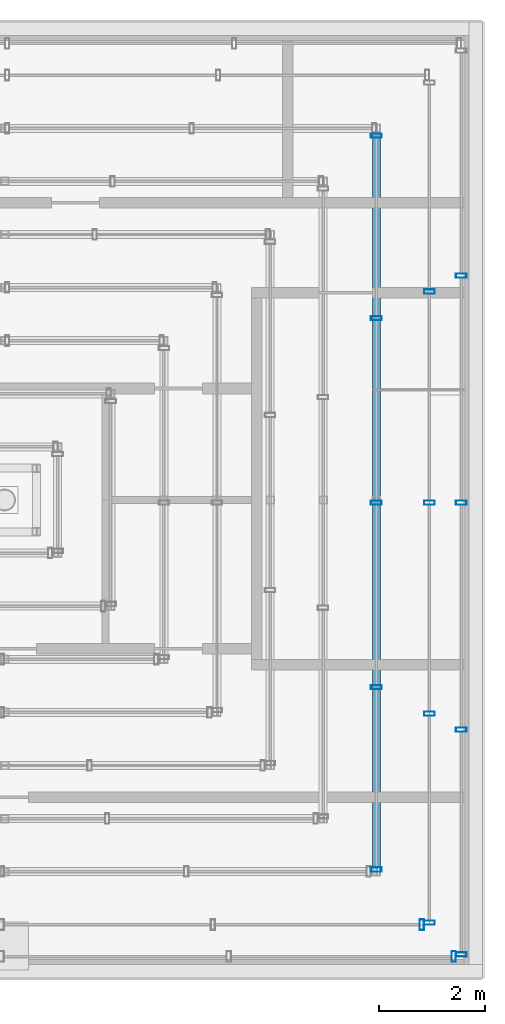
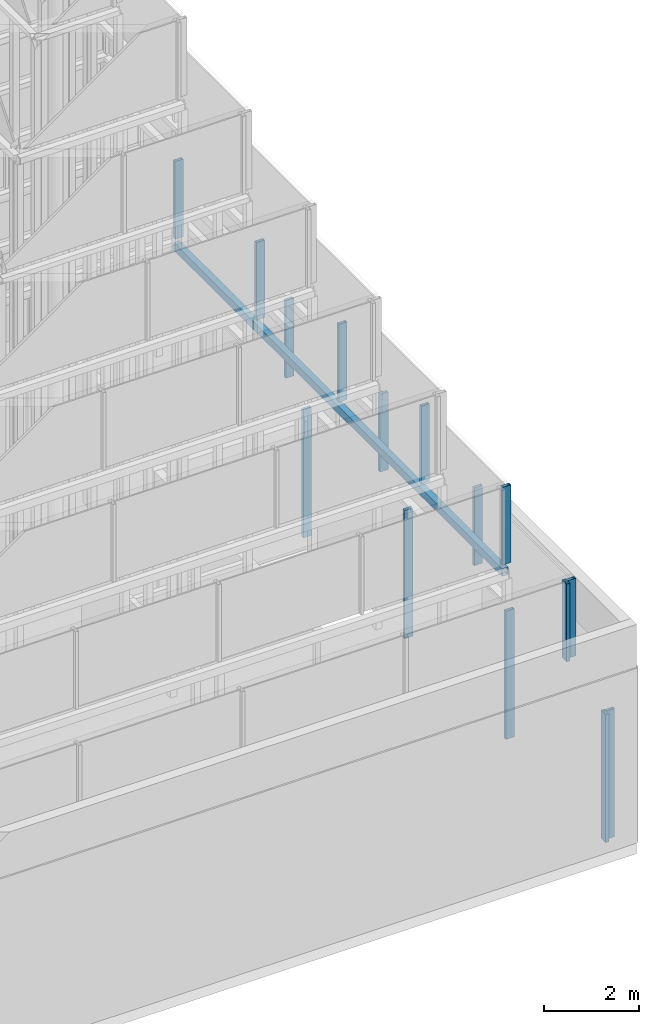
# One storey, part 15 of 24: 15 members, 1 beam, 5 elements without a shape of their own.
"""IFC4 building model written with IfcOpenShell, lengths in metres."""

from ifc_helpers import new_model, si_unit, direction, frame, origin, origin_2d, place, context, subcontext, project, spatial, hollow_rectangle, extrude, material, material_profile, profile_set, type_object, element, aggregate, save


model = new_model("IFC4")

# Units and contexts
model_context = context("Model", 3, precision=1e-05, world=origin(), true_north=direction((0.0, 1.0)))
body_context = subcontext(model_context, "Body", "Model", "MODEL_VIEW")
ifc_project = project(units=[si_unit("LENGTHUNIT", "METRE"), si_unit("AREAUNIT", "SQUARE_METRE"), si_unit("VOLUMEUNIT", "CUBIC_METRE"), si_unit("PLANEANGLEUNIT", "RADIAN"), si_unit("MASSUNIT", "GRAM", prefix="KILO")], contexts=[model_context])

# Site, building, storey
site_placement = place(None, origin())
site = spatial("IfcSite", under=ifc_project, at=site_placement, CompositionType="ELEMENT")
building_placement = place(site_placement, origin())
building = spatial("IfcBuilding", under=site, at=building_placement, Name="Altepetl Exchange Towers", CompositionType="ELEMENT")
storey_placement = place(building_placement, frame((0.0, 0.0, 279.10009765625)))
storey = spatial("IfcBuildingStorey", under=building, at=storey_placement, Name="L70 Crown plant", CompositionType="ELEMENT", Elevation=279.10009765625)

# Beam
ifc_material_1 = material(Name="Steel S355", Category="steel")
ifc_material_profile_1 = material_profile(ifc_material_1, hollow_rectangle(XDim=0.14990234375, YDim=0.199951171875, WallThickness=0.010009765625, at=origin_2d()), Name="RHS 200x150x10")
ifc_profile_set_1 = profile_set([ifc_material_profile_1], Name="Steel S355")
beam_type = type_object("IfcBeamType", Name="Crown ring beam hollow section 150x200x10", PredefinedType="BEAM", material=ifc_profile_set_1)
beam_placement = place(storey_placement, frame((56.5, 42.574951171875, 6.39990234375), z_axis=(0.0, 1.0, 0.0), x_axis=(-1.0, 0.0, 0.0)))
element("IfcBeam", 1, at=beam_placement, inside=storey, type_object=beam_type, Name="Crown ring beam", PredefinedType="BEAM", context=body_context, shape_type="SweptSolid", body=[
    extrude(hollow_rectangle(XDim=0.14990234375, YDim=0.199951171875, WallThickness=0.010009765625, at=origin_2d()), origin(), (0.0, 0.0, 1.0), 13.85009765625),
])

# Curtain wall, members
ifc_material_2 = material(Name="Aluminium 6063-T6 glazing", Category="aluminium")
curtain_wall_type = type_object("IfcCurtainWallType", Name="Crown glazing system", PredefinedType="NOTDEFINED", material=ifc_material_2)
curtain_wall_1_placement = place(storey_placement, origin())
curtain_wall_1 = element("IfcCurtainWall", 2, at=curtain_wall_1_placement, inside=storey, type_object=curtain_wall_type, Name="CW7 run", PredefinedType="NOTDEFINED")
ifc_material_3 = material(Name="Aluminium 6063-T6", Category="aluminium")
ifc_material_profile_2 = material_profile(ifc_material_3, hollow_rectangle(XDim=0.080078125, YDim=0.199951171875, WallThickness=0.0029296875, at=origin_2d()), Name="Mullion 80x200 hollow aluminium")
ifc_profile_set_2 = profile_set([ifc_material_profile_2], Name="Aluminium 6063-T6")
member_type = type_object("IfcMemberType", Name="Mullion 80x200 hollow aluminium", PredefinedType="MULLION", material=ifc_profile_set_2)
member_1_placement = place(storey_placement, frame((58.10009765625, 40.93994140625, 0.0), z_axis=(0.0, 0.0, 1.0), x_axis=(0.0, 1.0, 0.0)))
member_1 = element("IfcMember", 3, at=member_1_placement, type_object=member_type, Name="MU5 mullion", PredefinedType="MULLION", context=body_context, shape_type="SweptSolid", body=[
    extrude(hollow_rectangle(XDim=0.080078125, YDim=0.199951171875, WallThickness=0.0029296875, at=origin_2d()), origin(), (0.0, 0.0, 1.0), 3.2998046875),
])
member_2_placement = place(storey_placement, frame((58.10009765625, 45.175048828125, 0.0), z_axis=(0.0, 0.0, 1.0), x_axis=(0.0, 1.0, 0.0)))
member_2 = element("IfcMember", 4, at=member_2_placement, type_object=member_type, Name="MU5 mullion", PredefinedType="MULLION", context=body_context, shape_type="SweptSolid", body=[
    extrude(hollow_rectangle(XDim=0.080078125, YDim=0.199951171875, WallThickness=0.0029296875, at=origin_2d()), origin(), (0.0, 0.0, 1.0), 3.2998046875),
])
member_3_placement = place(storey_placement, frame((58.10009765625, 49.449951171875, 0.0), z_axis=(0.0, 0.0, 1.0), x_axis=(0.0, 1.0, 0.0)))
member_3 = element("IfcMember", 5, at=member_3_placement, type_object=member_type, Name="MU5 mullion", PredefinedType="MULLION", context=body_context, shape_type="SweptSolid", body=[
    extrude(hollow_rectangle(XDim=0.080078125, YDim=0.199951171875, WallThickness=0.0029296875, at=origin_2d()), origin(), (0.0, 0.0, 1.0), 3.2998046875),
])
member_4_placement = place(storey_placement, frame((58.10009765625, 53.72509765625, 0.0), z_axis=(0.0, 0.0, 1.0), x_axis=(0.0, 1.0, 0.0)))
member_4 = element("IfcMember", 6, at=member_4_placement, type_object=member_type, Name="MU5 mullion", PredefinedType="MULLION", context=body_context, shape_type="SweptSolid", body=[
    extrude(hollow_rectangle(XDim=0.080078125, YDim=0.199951171875, WallThickness=0.0029296875, at=origin_2d()), origin(), (0.0, 0.0, 1.0), 3.2998046875),
])
aggregate(curtain_wall_1, [member_1, member_2, member_3, member_4])

# Curtain wall, member
curtain_wall_2_placement = place(storey_placement, origin())
curtain_wall_2 = element("IfcCurtainWall", 7, at=curtain_wall_2_placement, inside=storey, type_object=curtain_wall_type, Name="CW7 run", PredefinedType="NOTDEFINED")
member_5_placement = place(storey_placement, frame((57.9599609375, 40.89990234375, 0.0)))
member_5 = element("IfcMember", 8, at=member_5_placement, type_object=member_type, Name="MU5 mullion", PredefinedType="MULLION", context=body_context, shape_type="SweptSolid", body=[
    extrude(hollow_rectangle(XDim=0.080078125, YDim=0.199951171875, WallThickness=0.0029296875, at=origin_2d()), origin(), (0.0, 0.0, 1.0), 3.2998046875),
])
aggregate(curtain_wall_2, [member_5])

curtain_wall_3_placement = place(storey_placement, origin())
curtain_wall_3 = element("IfcCurtainWall", 9, at=curtain_wall_3_placement, inside=storey, type_object=curtain_wall_type, Name="CW7 run", PredefinedType="NOTDEFINED")
member_6_placement = place(storey_placement, frame((57.360107421875, 41.5, 4.5)))
member_6 = element("IfcMember", 10, at=member_6_placement, type_object=member_type, Name="MU5 mullion", PredefinedType="MULLION", context=body_context, shape_type="SweptSolid", body=[
    extrude(hollow_rectangle(XDim=0.080078125, YDim=0.199951171875, WallThickness=0.0029296875, at=origin_2d()), origin(), (0.0, 0.0, 1.0), 2.0),
])
aggregate(curtain_wall_3, [member_6])

# Curtain wall, members
curtain_wall_4_placement = place(storey_placement, origin())
curtain_wall_4 = element("IfcCurtainWall", 11, at=curtain_wall_4_placement, inside=storey, type_object=curtain_wall_type, Name="CW7 run", PredefinedType="NOTDEFINED")
member_7_placement = place(storey_placement, frame((57.5, 41.5400390625, 4.5), z_axis=(0.0, 0.0, 1.0), x_axis=(0.0, 1.0, 0.0)))
member_7 = element("IfcMember", 12, at=member_7_placement, type_object=member_type, Name="MU5 mullion", PredefinedType="MULLION", context=body_context, shape_type="SweptSolid", body=[
    extrude(hollow_rectangle(XDim=0.080078125, YDim=0.199951171875, WallThickness=0.0029296875, at=origin_2d()), origin(), (0.0, 0.0, 1.0), 2.0),
])
member_8_placement = place(storey_placement, frame((57.5, 45.47509765625, 4.5), z_axis=(0.0, 0.0, 1.0), x_axis=(0.0, 1.0, 0.0)))
member_8 = element("IfcMember", 13, at=member_8_placement, type_object=member_type, Name="MU5 mullion", PredefinedType="MULLION", context=body_context, shape_type="SweptSolid", body=[
    extrude(hollow_rectangle(XDim=0.080078125, YDim=0.199951171875, WallThickness=0.0029296875, at=origin_2d()), origin(), (0.0, 0.0, 1.0), 2.0),
])
member_9_placement = place(storey_placement, frame((57.5, 49.449951171875, 4.5), z_axis=(0.0, 0.0, 1.0), x_axis=(0.0, 1.0, 0.0)))
member_9 = element("IfcMember", 14, at=member_9_placement, type_object=member_type, Name="MU5 mullion", PredefinedType="MULLION", context=body_context, shape_type="SweptSolid", body=[
    extrude(hollow_rectangle(XDim=0.080078125, YDim=0.199951171875, WallThickness=0.0029296875, at=origin_2d()), origin(), (0.0, 0.0, 1.0), 2.0),
])
member_10_placement = place(storey_placement, frame((57.5, 53.425048828125, 4.5), z_axis=(0.0, 0.0, 1.0), x_axis=(0.0, 1.0, 0.0)))
member_10 = element("IfcMember", 15, at=member_10_placement, type_object=member_type, Name="MU5 mullion", PredefinedType="MULLION", context=body_context, shape_type="SweptSolid", body=[
    extrude(hollow_rectangle(XDim=0.080078125, YDim=0.199951171875, WallThickness=0.0029296875, at=origin_2d()), origin(), (0.0, 0.0, 1.0), 2.0),
])
aggregate(curtain_wall_4, [member_7, member_8, member_9, member_10])

curtain_wall_5_placement = place(storey_placement, origin())
curtain_wall_5 = element("IfcCurtainWall", 16, at=curtain_wall_5_placement, inside=storey, type_object=curtain_wall_type, Name="CW7 run", PredefinedType="NOTDEFINED")
member_11_placement = place(storey_placement, frame((56.5, 42.5400390625, 6.64990234375), z_axis=(0.0, 0.0, 1.0), x_axis=(0.0, 1.0, 0.0)))
member_11 = element("IfcMember", 17, at=member_11_placement, type_object=member_type, Name="MU5 mullion", PredefinedType="MULLION", context=body_context, shape_type="SweptSolid", body=[
    extrude(hollow_rectangle(XDim=0.080078125, YDim=0.199951171875, WallThickness=0.0029296875, at=origin_2d()), origin(), (0.0, 0.0, 1.0), 2.0),
])
member_12_placement = place(storey_placement, frame((56.5, 45.97509765625, 6.64990234375), z_axis=(0.0, 0.0, 1.0), x_axis=(0.0, 1.0, 0.0)))
member_12 = element("IfcMember", 18, at=member_12_placement, type_object=member_type, Name="MU5 mullion", PredefinedType="MULLION", context=body_context, shape_type="SweptSolid", body=[
    extrude(hollow_rectangle(XDim=0.080078125, YDim=0.199951171875, WallThickness=0.0029296875, at=origin_2d()), origin(), (0.0, 0.0, 1.0), 2.0),
])
member_13_placement = place(storey_placement, frame((56.5, 49.449951171875, 6.64990234375), z_axis=(0.0, 0.0, 1.0), x_axis=(0.0, 1.0, 0.0)))
member_13 = element("IfcMember", 19, at=member_13_placement, type_object=member_type, Name="MU5 mullion", PredefinedType="MULLION", context=body_context, shape_type="SweptSolid", body=[
    extrude(hollow_rectangle(XDim=0.080078125, YDim=0.199951171875, WallThickness=0.0029296875, at=origin_2d()), origin(), (0.0, 0.0, 1.0), 2.0),
])
member_14_placement = place(storey_placement, frame((56.5, 52.925048828125, 6.64990234375), z_axis=(0.0, 0.0, 1.0), x_axis=(0.0, 1.0, 0.0)))
member_14 = element("IfcMember", 20, at=member_14_placement, type_object=member_type, Name="MU5 mullion", PredefinedType="MULLION", context=body_context, shape_type="SweptSolid", body=[
    extrude(hollow_rectangle(XDim=0.080078125, YDim=0.199951171875, WallThickness=0.0029296875, at=origin_2d()), origin(), (0.0, 0.0, 1.0), 2.0),
])
member_15_placement = place(storey_placement, frame((56.5, 56.360107421875, 6.64990234375), z_axis=(0.0, 0.0, 1.0), x_axis=(0.0, 1.0, 0.0)))
member_15 = element("IfcMember", 21, at=member_15_placement, type_object=member_type, Name="MU5 mullion", PredefinedType="MULLION", context=body_context, shape_type="SweptSolid", body=[
    extrude(hollow_rectangle(XDim=0.080078125, YDim=0.199951171875, WallThickness=0.0029296875, at=origin_2d()), origin(), (0.0, 0.0, 1.0), 2.0),
])
aggregate(curtain_wall_5, [member_11, member_12, member_13, member_14, member_15])

save(model, "model.ifc")
